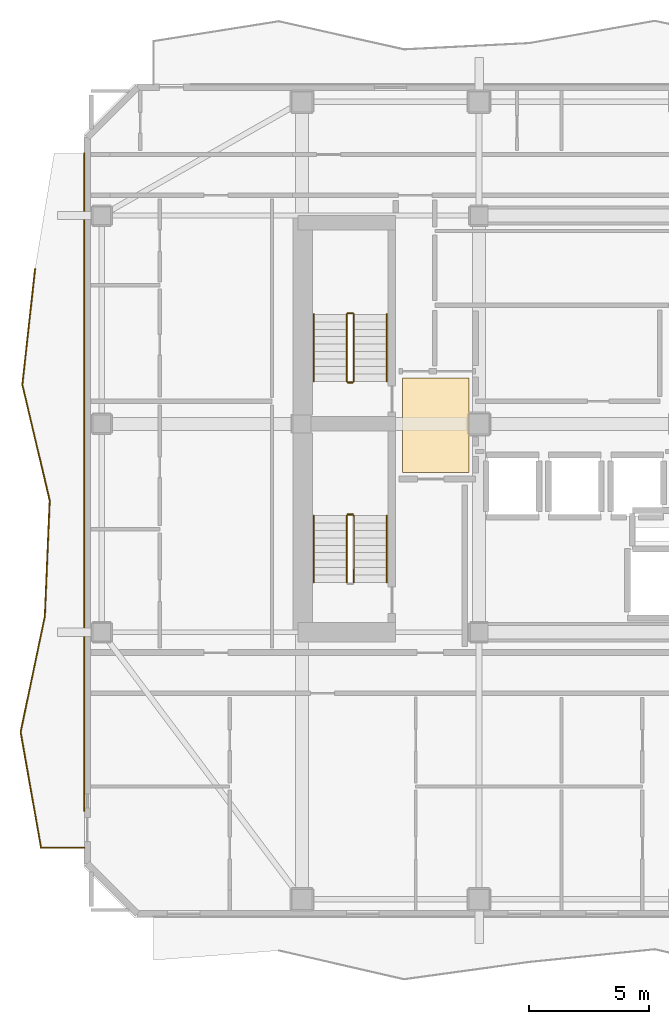
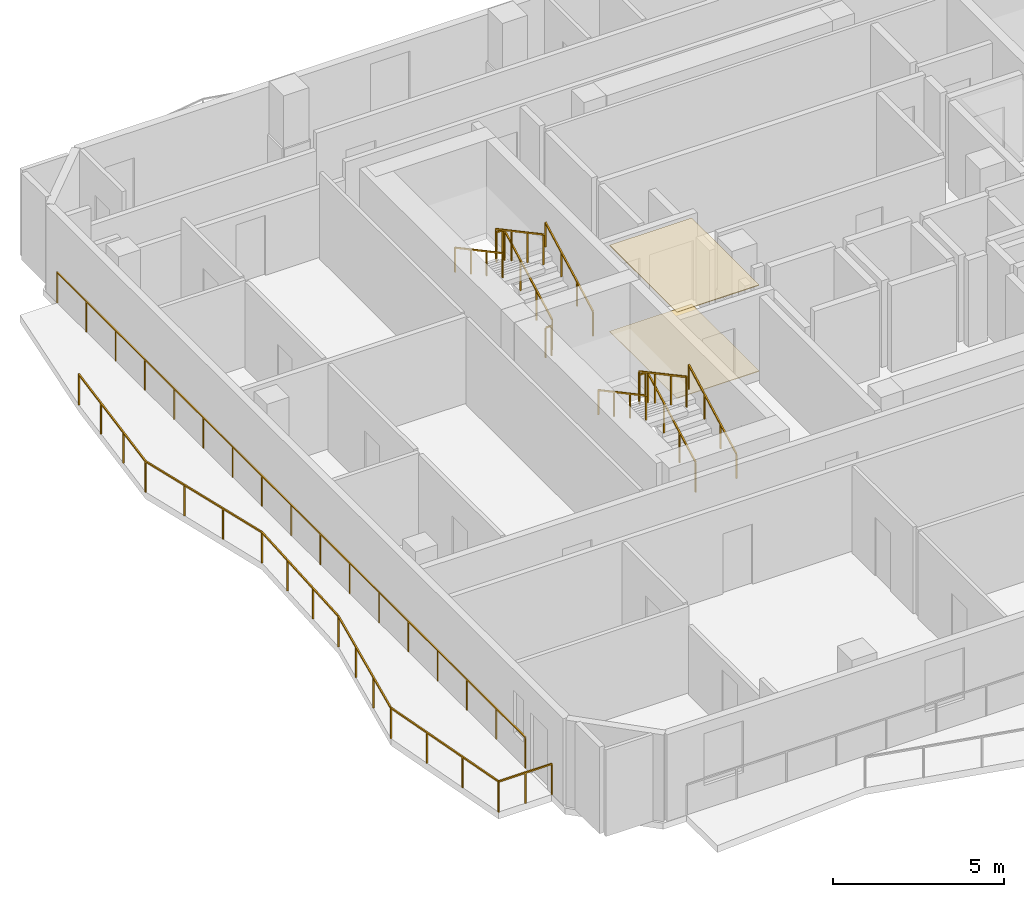
# One storey, part 8 of 10: 13 railings, 2 coverings.
"""IFC4 building model written with IfcOpenShell, lengths in metres."""

from ifc_helpers import new_model, si_unit, direction, frame, origin, origin_2d, place, context, subcontext, project, spatial, polyline, rectangle, outline, extrude, material, layer, layer_set, type_object, element, save


model = new_model("IFC4")

# Units and contexts
model_context = context("Model", 3, precision=1e-05, world=origin(), true_north=direction((0.0, 1.0)))
body_context = subcontext(model_context, "Body", "Model", "MODEL_VIEW")
ifc_project = project(units=[si_unit("LENGTHUNIT", "METRE"), si_unit("AREAUNIT", "SQUARE_METRE"), si_unit("VOLUMEUNIT", "CUBIC_METRE"), si_unit("PLANEANGLEUNIT", "RADIAN"), si_unit("MASSUNIT", "GRAM", prefix="KILO")], contexts=[model_context])

# Site, building, storey
site_placement = place(None, origin())
site = spatial("IfcSite", under=ifc_project, at=site_placement, CompositionType="ELEMENT")
building_placement = place(site_placement, origin())
building = spatial("IfcBuilding", under=site, at=building_placement, Name="Solanera Arch Residences", CompositionType="ELEMENT")
storey_placement = place(building_placement, frame((0.0, 0.0, 193.47998046875)))
storey = spatial("IfcBuildingStorey", under=building, at=storey_placement, Name="L56", CompositionType="ELEMENT", Elevation=193.47998046875)

# Railings
ifc_material_1 = material(Name="Steel S355 (ASTM A992 / A572 Grade 50)", Category="steel")
railing_type_1 = type_object("IfcRailingType", Name="Balustrade Railing BL-1100", PredefinedType="BALUSTRADE", material=ifc_material_1)
railing_1_placement = place(storey_placement, frame((2.258056640625, 37.1669921875, 0.0)))
element("IfcRailing", 1, at=railing_1_placement, inside=storey, type_object=railing_type_1, Name="L56 W Balcony Balustrade 1", PredefinedType="BALUSTRADE", context=body_context, shape_type="SweptSolid", body=[
    extrude(rectangle(XDim=0.048095703125, YDim=0.048095703125, at=origin_2d()), frame((0.0, 0.0, 1.09619140625), z_axis=(-0.109191669313, -0.994020713744, 0.0), x_axis=(0.994020713744, -0.109191669313, 0.0)), (0.0, 0.0, 1.0), 4.863037109375),
    extrude(rectangle(XDim=0.048095703125, YDim=0.048095703125, at=origin_2d()), frame((-0.531005859375, -4.833984375, 1.09619140625), z_axis=(0.229929791998, -0.973207218814, 0.0), x_axis=(0.973207218814, 0.229929791998, 0.0)), (0.0, 0.0, 1.0), 4.966064453125),
    extrude(rectangle(XDim=0.048095703125, YDim=0.048095703125, at=origin_2d()), frame((0.61083984375, -9.6669921875, 1.09619140625), z_axis=(-0.041941239933, -0.999120079066, 0.0), x_axis=(0.999120079066, -0.041941239933, 0.0)), (0.0, 0.0, 1.0), 4.837158203125),
    extrude(rectangle(XDim=0.048095703125, YDim=0.048095703125, at=origin_2d()), frame((0.407958984375, -14.5, 1.09619140625), z_axis=(-0.204712258258, -0.978822195968, 0.0), x_axis=(0.978822195968, -0.204712258258, 0.0)), (0.0, 0.0, 1.0), 4.9384765625),
    extrude(rectangle(XDim=0.048095703125, YDim=0.048095703125, at=origin_2d()), frame((-0.60302734375, -19.333984375, 1.09619140625), z_axis=(0.173813712622, -0.984778550388, 0.0), x_axis=(0.984778550388, 0.173813712622, 0.0)), (0.0, 0.0, 1.0), 4.90771484375),
    extrude(rectangle(XDim=0.048095703125, YDim=0.048095703125, at=origin_2d()), frame((0.25, -24.1669921875, 1.09619140625), z_axis=(1.0, 0.0, 0.0), x_axis=(0.0, 1.0, 0.0)), (0.0, 0.0, 1.0), 1.81201171875),
    extrude(rectangle(XDim=0.0419921875, YDim=0.0419921875, at=origin_2d()), origin(), (0.0, 0.0, 1.0), 1.072021484375),
    extrude(rectangle(XDim=0.0419921875, YDim=0.0419921875, at=origin_2d()), frame((-0.177001953125, -1.611328125, 0.0)), (0.0, 0.0, 1.0), 1.072021484375),
    extrude(rectangle(XDim=0.0419921875, YDim=0.0419921875, at=origin_2d()), frame((-0.35400390625, -3.22265625, 0.0)), (0.0, 0.0, 1.0), 1.072021484375),
    extrude(rectangle(XDim=0.0419921875, YDim=0.0419921875, at=origin_2d()), frame((-0.531005859375, -4.833984375, 0.0)), (0.0, 0.0, 1.0), 1.072021484375),
    extrude(rectangle(XDim=0.0419921875, YDim=0.0419921875, at=origin_2d()), frame((-0.150390625, -6.445068359375, 0.0)), (0.0, 0.0, 1.0), 1.072021484375),
    extrude(rectangle(XDim=0.0419921875, YDim=0.0419921875, at=origin_2d()), frame((0.230224609375, -8.055908203125, 0.0)), (0.0, 0.0, 1.0), 1.072021484375),
    extrude(rectangle(XDim=0.0419921875, YDim=0.0419921875, at=origin_2d()), frame((0.61083984375, -9.6669921875, 0.0)), (0.0, 0.0, 1.0), 1.072021484375),
    extrude(rectangle(XDim=0.0419921875, YDim=0.0419921875, at=origin_2d()), frame((0.543212890625, -11.278076171875, 0.0)), (0.0, 0.0, 1.0), 1.072021484375),
    extrude(rectangle(XDim=0.0419921875, YDim=0.0419921875, at=origin_2d()), frame((0.4755859375, -12.888916015625, 0.0)), (0.0, 0.0, 1.0), 1.072021484375),
    extrude(rectangle(XDim=0.0419921875, YDim=0.0419921875, at=origin_2d()), frame((0.407958984375, -14.5, 0.0)), (0.0, 0.0, 1.0), 1.072021484375),
    extrude(rectangle(XDim=0.0419921875, YDim=0.0419921875, at=origin_2d()), frame((0.071044921875, -16.111328125, 0.0)), (0.0, 0.0, 1.0), 1.072021484375),
    extrude(rectangle(XDim=0.0419921875, YDim=0.0419921875, at=origin_2d()), frame((-0.26611328125, -17.72265625, 0.0)), (0.0, 0.0, 1.0), 1.072021484375),
    extrude(rectangle(XDim=0.0419921875, YDim=0.0419921875, at=origin_2d()), frame((-0.60302734375, -19.333984375, 0.0)), (0.0, 0.0, 1.0), 1.072021484375),
    extrude(rectangle(XDim=0.0419921875, YDim=0.0419921875, at=origin_2d()), frame((-0.318603515625, -20.945068359375, 0.0)), (0.0, 0.0, 1.0), 1.072021484375),
    extrude(rectangle(XDim=0.0419921875, YDim=0.0419921875, at=origin_2d()), frame((-0.034423828125, -22.555908203125, 0.0)), (0.0, 0.0, 1.0), 1.072021484375),
    extrude(rectangle(XDim=0.0419921875, YDim=0.0419921875, at=origin_2d()), frame((0.25, -24.1669921875, 0.0)), (0.0, 0.0, 1.0), 1.072021484375),
    extrude(rectangle(XDim=0.0419921875, YDim=0.0419921875, at=origin_2d()), frame((1.156005859375, -24.1669921875, 0.0)), (0.0, 0.0, 1.0), 1.072021484375),
    extrude(rectangle(XDim=0.0419921875, YDim=0.0419921875, at=origin_2d()), frame((2.06201171875, -24.1669921875, 0.0)), (0.0, 0.0, 1.0), 1.072021484375),
])
railing_2_placement = place(storey_placement, frame((4.320068359375, 14.554931640625, 0.0)))
element("IfcRailing", 2, at=railing_2_placement, inside=storey, type_object=railing_type_1, Name="L56 W Balcony Balustrade 2", PredefinedType="BALUSTRADE", context=body_context, shape_type="SweptSolid", body=[
    extrude(rectangle(XDim=0.048095703125, YDim=0.048095703125, at=origin_2d()), frame((0.0, 0.0, 1.09619140625), z_axis=(0.0, 1.0, 0.0), x_axis=(-1.0, 0.0, 0.0)), (0.0, 0.0, 1.0), 27.445068359375),
    extrude(rectangle(XDim=0.0419921875, YDim=0.0419921875, at=origin_2d()), origin(), (0.0, 0.0, 1.0), 1.072021484375),
    extrude(rectangle(XDim=0.0419921875, YDim=0.0419921875, at=origin_2d()), frame((0.0, 1.71533203125, 0.0)), (0.0, 0.0, 1.0), 1.072021484375),
    extrude(rectangle(XDim=0.0419921875, YDim=0.0419921875, at=origin_2d()), frame((0.0, 3.4306640625, 0.0)), (0.0, 0.0, 1.0), 1.072021484375),
    extrude(rectangle(XDim=0.0419921875, YDim=0.0419921875, at=origin_2d()), frame((0.0, 5.14599609375, 0.0)), (0.0, 0.0, 1.0), 1.072021484375),
    extrude(rectangle(XDim=0.0419921875, YDim=0.0419921875, at=origin_2d()), frame((0.0, 6.861328125, 0.0)), (0.0, 0.0, 1.0), 1.072021484375),
    extrude(rectangle(XDim=0.0419921875, YDim=0.0419921875, at=origin_2d()), frame((0.0, 8.57666015625, 0.0)), (0.0, 0.0, 1.0), 1.072021484375),
    extrude(rectangle(XDim=0.0419921875, YDim=0.0419921875, at=origin_2d()), frame((0.0, 10.2919921875, 0.0)), (0.0, 0.0, 1.0), 1.072021484375),
    extrude(rectangle(XDim=0.0419921875, YDim=0.0419921875, at=origin_2d()), frame((0.0, 12.00732421875, 0.0)), (0.0, 0.0, 1.0), 1.072021484375),
    extrude(rectangle(XDim=0.0419921875, YDim=0.0419921875, at=origin_2d()), frame((0.0, 13.72265625, 0.0)), (0.0, 0.0, 1.0), 1.072021484375),
    extrude(rectangle(XDim=0.0419921875, YDim=0.0419921875, at=origin_2d()), frame((0.0, 15.437744140625, 0.0)), (0.0, 0.0, 1.0), 1.072021484375),
    extrude(rectangle(XDim=0.0419921875, YDim=0.0419921875, at=origin_2d()), frame((0.0, 17.153076171875, 0.0)), (0.0, 0.0, 1.0), 1.072021484375),
    extrude(rectangle(XDim=0.0419921875, YDim=0.0419921875, at=origin_2d()), frame((0.0, 18.868408203125, 0.0)), (0.0, 0.0, 1.0), 1.072021484375),
    extrude(rectangle(XDim=0.0419921875, YDim=0.0419921875, at=origin_2d()), frame((0.0, 20.583740234375, 0.0)), (0.0, 0.0, 1.0), 1.072021484375),
    extrude(rectangle(XDim=0.0419921875, YDim=0.0419921875, at=origin_2d()), frame((0.0, 22.299072265625, 0.0)), (0.0, 0.0, 1.0), 1.072021484375),
    extrude(rectangle(XDim=0.0419921875, YDim=0.0419921875, at=origin_2d()), frame((0.0, 24.014404296875, 0.0)), (0.0, 0.0, 1.0), 1.072021484375),
    extrude(rectangle(XDim=0.0419921875, YDim=0.0419921875, at=origin_2d()), frame((0.0, 25.729736328125, 0.0)), (0.0, 0.0, 1.0), 1.072021484375),
    extrude(rectangle(XDim=0.0419921875, YDim=0.0419921875, at=origin_2d()), frame((0.0, 27.445068359375, 0.0)), (0.0, 0.0, 1.0), 1.072021484375),
])

# Covering
ifc_material_2 = material(Name="Porcelain Acoustic Floor Tile", Category="ceramic")
ifc_layer_1 = layer(ifc_material_2, 0.02001953125)
ifc_layer_set_1 = layer_set([ifc_layer_1], Name="Porcelain Acoustic Floor Tile")
covering_type_1 = type_object("IfcCoveringType", Name="Porcelain Acoustic Floor Finish FLR-20", PredefinedType="FLOORING", material=ifc_layer_set_1)
covering_1_placement = place(storey_placement, origin())
element("IfcCovering", 3, at=covering_1_placement, inside=storey, type_object=covering_type_1, Name="L56-FFL-W Porcelain Floor Finish", PredefinedType="FLOORING", context=body_context, shape_type="SweptSolid", body=[
    extrude(outline(polyline([(20.375, 28.675048828125), (17.594970703125, 28.675048828125), (17.594970703125, 32.625), (20.375, 32.625), (20.375, 28.675048828125)])), origin(), (0.0, 0.0, 1.0), 0.02001953125),
])

# Railings
ifc_material_3 = material(Name="Steel S355 (ASTM A992 / A572 Grade 50)", Category="steel")
railing_type_2 = type_object("IfcRailingType", Name="Stair Guardrail GR-1100", PredefinedType="GUARDRAIL", material=ifc_material_3)
railing_3_placement = place(storey_placement, frame((15.570068359375, 32.47998046875, 0.151123046875)))
element("IfcRailing", 4, at=railing_3_placement, inside=storey, type_object=railing_type_2, Name="L56 ST-T1 stair guard 1", PredefinedType="GUARDRAIL", context=body_context, shape_type="SweptSolid", body=[
    extrude(rectangle(XDim=0.048095703125, YDim=0.048095703125, at=origin_2d()), frame((0.0, 0.0, 1.076171875), z_axis=(0.0, 0.881580869306, 0.472033018838), x_axis=(-1.0, 0.0, 0.0)), (0.0, 0.0, 1.0), 3.164794921875),
    extrude(rectangle(XDim=0.0419921875, YDim=0.0419921875, at=origin_2d()), origin(), (0.0, 0.0, 1.0), 1.052001953125),
    extrude(rectangle(XDim=0.0419921875, YDim=0.0419921875, at=origin_2d()), frame((0.0, 0.929931640625, 0.498046875)), (0.0, 0.0, 1.0), 1.052001953125),
    extrude(rectangle(XDim=0.0419921875, YDim=0.0419921875, at=origin_2d()), frame((0.0, 1.860107421875, 0.995849609375)), (0.0, 0.0, 1.0), 1.052001953125),
    extrude(rectangle(XDim=0.0419921875, YDim=0.0419921875, at=origin_2d()), frame((0.0, 2.7900390625, 1.493896484375)), (0.0, 0.0, 1.0), 1.052001953125),
])
railing_4_placement = place(storey_placement, frame((15.52001953125, 35.320068359375, 1.64501953125)))
element("IfcRailing", 5, at=railing_4_placement, inside=storey, type_object=railing_type_2, Name="L56 ST-T1 stair guard 2", PredefinedType="GUARDRAIL", context=body_context, shape_type="SweptSolid", body=[
    extrude(rectangle(XDim=0.048095703125, YDim=0.048095703125, at=origin_2d()), frame((0.0, 0.0, 1.076171875), z_axis=(-1.0, 0.0, 0.0), x_axis=(0.0, -1.0, 0.0)), (0.0, 0.0, 1.0), 0.199951171875),
    extrude(rectangle(XDim=0.0419921875, YDim=0.0419921875, at=origin_2d()), origin(), (0.0, 0.0, 1.0), 1.052001953125),
    extrude(rectangle(XDim=0.0419921875, YDim=0.0419921875, at=origin_2d()), frame((-0.199951171875, 0.0, 0.0)), (0.0, 0.0, 1.0), 1.052001953125),
])
railing_5_placement = place(storey_placement, frame((15.27001953125, 35.27001953125, 1.81103515625)))
element("IfcRailing", 6, at=railing_5_placement, inside=storey, type_object=railing_type_2, Name="L56 ST-T1 stair guard 3", PredefinedType="GUARDRAIL", context=body_context, shape_type="SweptSolid", body=[
    extrude(rectangle(XDim=0.048095703125, YDim=0.048095703125, at=origin_2d()), frame((0.0, 0.0, 1.076171875), z_axis=(0.0, -0.881580869306, 0.472033018838), x_axis=(1.0, 0.0, 0.0)), (0.0, 0.0, 1.0), 3.164794921875),
    extrude(rectangle(XDim=0.0419921875, YDim=0.0419921875, at=origin_2d()), origin(), (0.0, 0.0, 1.0), 1.052001953125),
    extrude(rectangle(XDim=0.0419921875, YDim=0.0419921875, at=origin_2d()), frame((0.0, -0.929931640625, 0.498046875)), (0.0, 0.0, 1.0), 1.052001953125),
    extrude(rectangle(XDim=0.0419921875, YDim=0.0419921875, at=origin_2d()), frame((0.0, -1.860107421875, 0.995849609375)), (0.0, 0.0, 1.0), 1.052001953125),
    extrude(rectangle(XDim=0.0419921875, YDim=0.0419921875, at=origin_2d()), frame((0.0, -2.7900390625, 1.493896484375)), (0.0, 0.0, 1.0), 1.052001953125),
])
railing_6_placement = place(storey_placement, frame((15.52001953125, 32.429931640625, -0.014892578125)))
element("IfcRailing", 7, at=railing_6_placement, inside=storey, type_object=railing_type_2, Name="L56 ST-T1 stair guard 4", PredefinedType="GUARDRAIL", context=body_context, shape_type="SweptSolid", body=[
    extrude(rectangle(XDim=0.048095703125, YDim=0.048095703125, at=origin_2d()), frame((0.0, 0.0, 1.076171875), z_axis=(-1.0, 0.0, 0.0), x_axis=(0.0, -1.0, 0.0)), (0.0, 0.0, 1.0), 0.199951171875),
    extrude(rectangle(XDim=0.0419921875, YDim=0.0419921875, at=origin_2d()), origin(), (0.0, 0.0, 1.0), 1.052001953125),
    extrude(rectangle(XDim=0.0419921875, YDim=0.0419921875, at=origin_2d()), frame((-0.199951171875, 0.0, 0.0)), (0.0, 0.0, 1.0), 1.052001953125),
])
railing_7_placement = place(storey_placement, frame((15.570068359375, 24.080078125, 0.151123046875)))
element("IfcRailing", 8, at=railing_7_placement, inside=storey, type_object=railing_type_2, Name="L56 ST-T3 stair guard 1", PredefinedType="GUARDRAIL", context=body_context, shape_type="SweptSolid", body=[
    extrude(rectangle(XDim=0.048095703125, YDim=0.048095703125, at=origin_2d()), frame((0.0, 0.0, 1.076171875), z_axis=(0.0, 0.881580869306, 0.472033018838), x_axis=(-1.0, 0.0, 0.0)), (0.0, 0.0, 1.0), 3.164794921875),
    extrude(rectangle(XDim=0.0419921875, YDim=0.0419921875, at=origin_2d()), origin(), (0.0, 0.0, 1.0), 1.052001953125),
    extrude(rectangle(XDim=0.0419921875, YDim=0.0419921875, at=origin_2d()), frame((0.0, 0.929931640625, 0.498046875)), (0.0, 0.0, 1.0), 1.052001953125),
    extrude(rectangle(XDim=0.0419921875, YDim=0.0419921875, at=origin_2d()), frame((0.0, 1.860107421875, 0.995849609375)), (0.0, 0.0, 1.0), 1.052001953125),
    extrude(rectangle(XDim=0.0419921875, YDim=0.0419921875, at=origin_2d()), frame((0.0, 2.7900390625, 1.493896484375)), (0.0, 0.0, 1.0), 1.052001953125),
])
railing_8_placement = place(storey_placement, frame((15.52001953125, 26.919921875, 1.64501953125)))
element("IfcRailing", 9, at=railing_8_placement, inside=storey, type_object=railing_type_2, Name="L56 ST-T3 stair guard 2", PredefinedType="GUARDRAIL", context=body_context, shape_type="SweptSolid", body=[
    extrude(rectangle(XDim=0.048095703125, YDim=0.048095703125, at=origin_2d()), frame((0.0, 0.0, 1.076171875), z_axis=(-1.0, 0.0, 0.0), x_axis=(0.0, -1.0, 0.0)), (0.0, 0.0, 1.0), 0.199951171875),
    extrude(rectangle(XDim=0.0419921875, YDim=0.0419921875, at=origin_2d()), origin(), (0.0, 0.0, 1.0), 1.052001953125),
    extrude(rectangle(XDim=0.0419921875, YDim=0.0419921875, at=origin_2d()), frame((-0.199951171875, 0.0, 0.0)), (0.0, 0.0, 1.0), 1.052001953125),
])
railing_9_placement = place(storey_placement, frame((15.27001953125, 26.8701171875, 1.81103515625)))
element("IfcRailing", 10, at=railing_9_placement, inside=storey, type_object=railing_type_2, Name="L56 ST-T3 stair guard 3", PredefinedType="GUARDRAIL", context=body_context, shape_type="SweptSolid", body=[
    extrude(rectangle(XDim=0.048095703125, YDim=0.048095703125, at=origin_2d()), frame((0.0, 0.0, 1.076171875), z_axis=(0.0, -0.881580869306, 0.472033018838), x_axis=(1.0, 0.0, 0.0)), (0.0, 0.0, 1.0), 3.164794921875),
    extrude(rectangle(XDim=0.0419921875, YDim=0.0419921875, at=origin_2d()), origin(), (0.0, 0.0, 1.0), 1.052001953125),
    extrude(rectangle(XDim=0.0419921875, YDim=0.0419921875, at=origin_2d()), frame((0.0, -0.929931640625, 0.498046875)), (0.0, 0.0, 1.0), 1.052001953125),
    extrude(rectangle(XDim=0.0419921875, YDim=0.0419921875, at=origin_2d()), frame((0.0, -1.860107421875, 0.995849609375)), (0.0, 0.0, 1.0), 1.052001953125),
    extrude(rectangle(XDim=0.0419921875, YDim=0.0419921875, at=origin_2d()), frame((0.0, -2.7900390625, 1.493896484375)), (0.0, 0.0, 1.0), 1.052001953125),
])
ifc_material_4 = material(Name="Steel S355 (ASTM A992 / A572 Grade 50)", Category="steel")
railing_type_3 = type_object("IfcRailingType", Name="Stair Wall Handrail HR-920", PredefinedType="HANDRAIL", material=ifc_material_4)
railing_10_placement = place(storey_placement, frame((16.949951171875, 32.47998046875, 0.166015625)))
element("IfcRailing", 11, at=railing_10_placement, inside=storey, type_object=railing_type_3, Name="L56 ST-T1 stair handrail 1", PredefinedType="HANDRAIL", context=body_context, shape_type="SweptSolid", body=[
    extrude(rectangle(XDim=0.048095703125, YDim=0.048095703125, at=origin_2d()), frame((0.0, 0.0, 0.8759765625), z_axis=(0.0, 0.881580869306, 0.472033018838), x_axis=(-1.0, 0.0, 0.0)), (0.0, 0.0, 1.0), 3.164794921875),
    extrude(rectangle(XDim=0.0419921875, YDim=0.0419921875, at=origin_2d()), origin(), (0.0, 0.0, 1.0), 0.851806640625),
    extrude(rectangle(XDim=0.0419921875, YDim=0.0419921875, at=origin_2d()), frame((0.0, 0.929931640625, 0.498046875)), (0.0, 0.0, 1.0), 0.851806640625),
    extrude(rectangle(XDim=0.0419921875, YDim=0.0419921875, at=origin_2d()), frame((0.0, 1.860107421875, 0.995849609375)), (0.0, 0.0, 1.0), 0.851806640625),
    extrude(rectangle(XDim=0.0419921875, YDim=0.0419921875, at=origin_2d()), frame((0.0, 2.7900390625, 1.493896484375)), (0.0, 0.0, 1.0), 0.851806640625),
])
railing_11_placement = place(storey_placement, frame((13.889892578125, 35.27001953125, 1.825927734375)))
element("IfcRailing", 12, at=railing_11_placement, inside=storey, type_object=railing_type_3, Name="L56 ST-T1 stair handrail 2", PredefinedType="HANDRAIL", context=body_context, shape_type="SweptSolid", body=[
    extrude(rectangle(XDim=0.048095703125, YDim=0.048095703125, at=origin_2d()), frame((0.0, 0.0, 0.8759765625), z_axis=(0.0, -0.881548766853, 0.472092969298), x_axis=(1.0, 0.0, 0.0)), (0.0, 0.0, 1.0), 3.1650390625),
    extrude(rectangle(XDim=0.0419921875, YDim=0.0419921875, at=origin_2d()), origin(), (0.0, 0.0, 1.0), 0.851806640625),
    extrude(rectangle(XDim=0.0419921875, YDim=0.0419921875, at=origin_2d()), frame((0.0, -0.929931640625, 0.498046875)), (0.0, 0.0, 1.0), 0.851806640625),
    extrude(rectangle(XDim=0.0419921875, YDim=0.0419921875, at=origin_2d()), frame((0.0, -1.860107421875, 0.99609375)), (0.0, 0.0, 1.0), 0.851806640625),
    extrude(rectangle(XDim=0.0419921875, YDim=0.0419921875, at=origin_2d()), frame((0.0, -2.7900390625, 1.494140625)), (0.0, 0.0, 1.0), 0.851806640625),
])
railing_12_placement = place(storey_placement, frame((16.949951171875, 24.080078125, 0.166015625)))
element("IfcRailing", 13, at=railing_12_placement, inside=storey, type_object=railing_type_3, Name="L56 ST-T3 stair handrail 1", PredefinedType="HANDRAIL", context=body_context, shape_type="SweptSolid", body=[
    extrude(rectangle(XDim=0.048095703125, YDim=0.048095703125, at=origin_2d()), frame((0.0, 0.0, 0.8759765625), z_axis=(0.0, 0.881580869306, 0.472033018838), x_axis=(-1.0, 0.0, 0.0)), (0.0, 0.0, 1.0), 3.164794921875),
    extrude(rectangle(XDim=0.0419921875, YDim=0.0419921875, at=origin_2d()), origin(), (0.0, 0.0, 1.0), 0.851806640625),
    extrude(rectangle(XDim=0.0419921875, YDim=0.0419921875, at=origin_2d()), frame((0.0, 0.929931640625, 0.498046875)), (0.0, 0.0, 1.0), 0.851806640625),
    extrude(rectangle(XDim=0.0419921875, YDim=0.0419921875, at=origin_2d()), frame((0.0, 1.860107421875, 0.995849609375)), (0.0, 0.0, 1.0), 0.851806640625),
    extrude(rectangle(XDim=0.0419921875, YDim=0.0419921875, at=origin_2d()), frame((0.0, 2.7900390625, 1.493896484375)), (0.0, 0.0, 1.0), 0.851806640625),
])
railing_13_placement = place(storey_placement, frame((13.889892578125, 26.8701171875, 1.825927734375)))
element("IfcRailing", 14, at=railing_13_placement, inside=storey, type_object=railing_type_3, Name="L56 ST-T3 stair handrail 2", PredefinedType="HANDRAIL", context=body_context, shape_type="SweptSolid", body=[
    extrude(rectangle(XDim=0.048095703125, YDim=0.048095703125, at=origin_2d()), frame((0.0, 0.0, 0.8759765625), z_axis=(0.0, -0.881548766853, 0.472092969298), x_axis=(1.0, 0.0, 0.0)), (0.0, 0.0, 1.0), 3.1650390625),
    extrude(rectangle(XDim=0.0419921875, YDim=0.0419921875, at=origin_2d()), origin(), (0.0, 0.0, 1.0), 0.851806640625),
    extrude(rectangle(XDim=0.0419921875, YDim=0.0419921875, at=origin_2d()), frame((0.0, -0.929931640625, 0.498046875)), (0.0, 0.0, 1.0), 0.851806640625),
    extrude(rectangle(XDim=0.0419921875, YDim=0.0419921875, at=origin_2d()), frame((0.0, -1.860107421875, 0.99609375)), (0.0, 0.0, 1.0), 0.851806640625),
    extrude(rectangle(XDim=0.0419921875, YDim=0.0419921875, at=origin_2d()), frame((0.0, -2.7900390625, 1.494140625)), (0.0, 0.0, 1.0), 0.851806640625),
])

# Covering
ifc_material_5 = material(Name="Mineral Fibre Acoustic Ceiling Board", Category="gypsum")
ifc_layer_2 = layer(ifc_material_5, 0.02490234375)
ifc_layer_set_2 = layer_set([ifc_layer_2], Name="Mineral Fibre Acoustic Ceiling Board")
covering_type_2 = type_object("IfcCoveringType", Name="Suspended Acoustic Ceiling Board CLG-25", PredefinedType="CEILING", material=ifc_layer_set_2)
covering_2_placement = place(storey_placement, frame((0.0, 0.0, 3.074951171875)))
element("IfcCovering", 15, at=covering_2_placement, inside=storey, type_object=covering_type_2, Name="L56-FFL-W Acoustic Ceiling", PredefinedType="CEILING", context=body_context, shape_type="SweptSolid", body=[
    extrude(outline(polyline([(20.375, 28.675048828125), (17.594970703125, 28.675048828125), (17.594970703125, 32.625), (20.375, 32.625), (20.375, 28.675048828125)])), origin(), (0.0, 0.0, 1.0), 0.025146484375),
])

save(model, "model.ifc")
